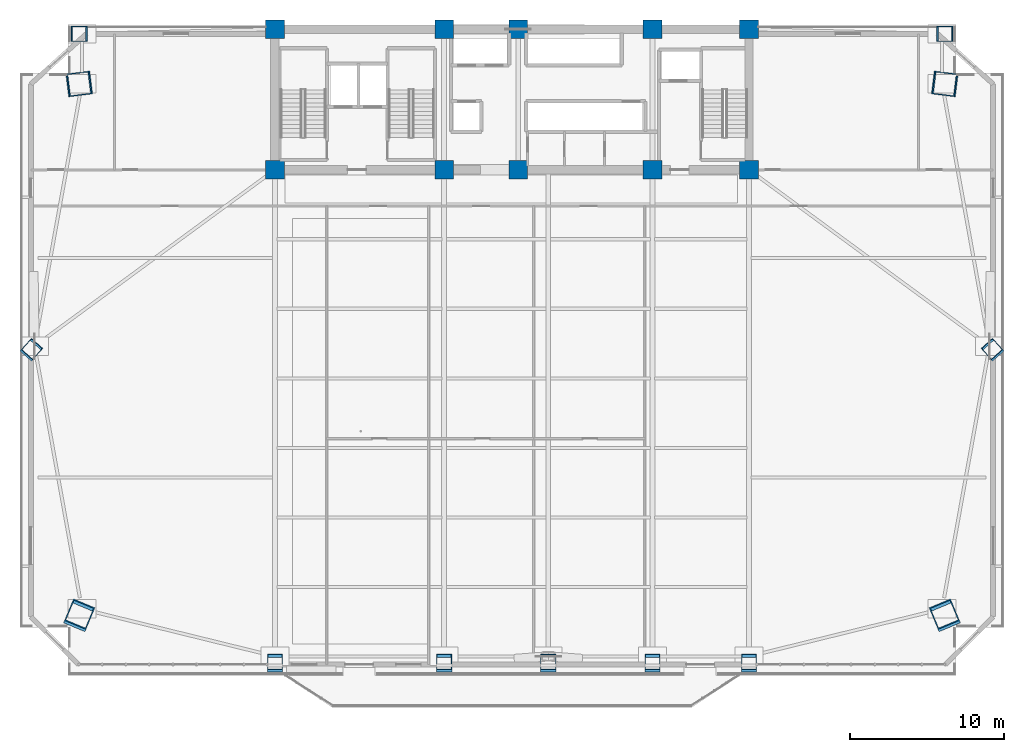
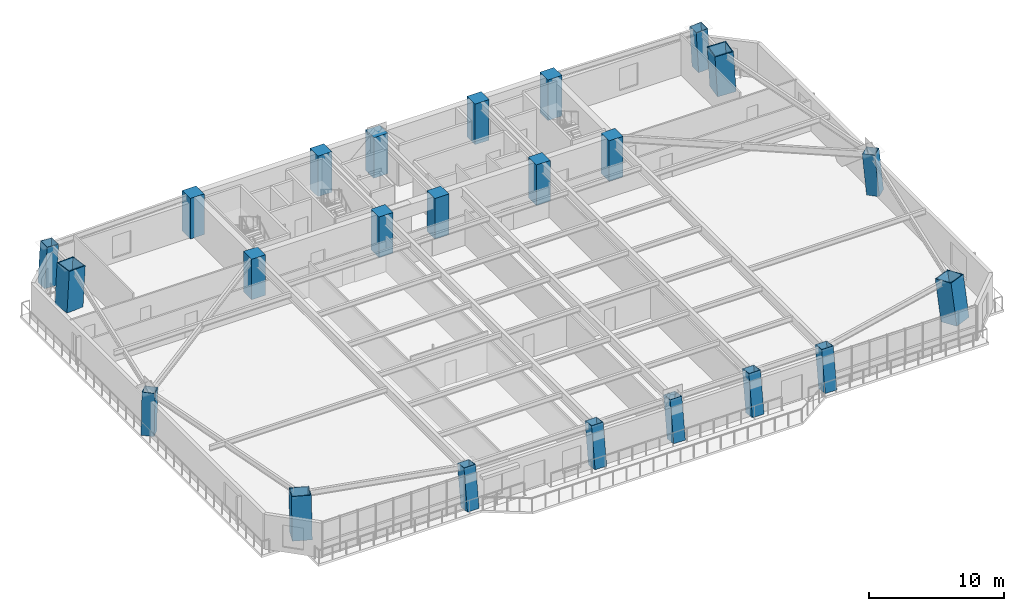
# One storey, part 1 of 16: 23 columns.
"""IFC4 building model written with IfcOpenShell, lengths in metres."""

from ifc_helpers import new_model, si_unit, direction, frame, origin, origin_2d, place, context, subcontext, project, spatial, rectangle, hollow_rectangle, extrude, source, transform, mapped, material, material_profile, profile_set, type_object, element, save


model = new_model("IFC4")

# Units and contexts
model_context = context("Model", 3, precision=1e-05, world=origin(), true_north=direction((0.0, 1.0)))
body_context = subcontext(model_context, "Body", "Model", "MODEL_VIEW")
ifc_project = project(units=[si_unit("LENGTHUNIT", "METRE"), si_unit("AREAUNIT", "SQUARE_METRE"), si_unit("VOLUMEUNIT", "CUBIC_METRE"), si_unit("PLANEANGLEUNIT", "RADIAN"), si_unit("MASSUNIT", "GRAM", prefix="KILO")], contexts=[model_context])

# Site, building, storey
site_placement = place(None, origin())
site = spatial("IfcSite", under=ifc_project, at=site_placement, CompositionType="ELEMENT")
building_placement = place(site_placement, origin())
building = spatial("IfcBuilding", under=site, at=building_placement, Name="Giltprow Tower", CompositionType="ELEMENT")
storey_placement = place(building_placement, frame((0.0, 0.0, 83.5)))
storey = spatial("IfcBuildingStorey", under=building, at=storey_placement, Name="L20", CompositionType="ELEMENT", Elevation=83.5)

# Columns
ifc_material_1 = material(Name="Concrete C60", Category="concrete")
ifc_material_profile_1 = material_profile(ifc_material_1, rectangle(XDim=1.199951171875, YDim=1.199951171875, at=origin_2d()), Name="RC 1200x1200")
ifc_profile_set_1 = profile_set([ifc_material_profile_1], Name="Concrete C60")
column_type_1 = type_object("IfcColumnType", Name="PIL-RC-1200-C60", PredefinedType="PILASTER", material=ifc_profile_set_1)
shared_shape_1 = source(origin(), body_context, "Body", "SweptSolid", [
    extrude(rectangle(XDim=1.199951171875, YDim=1.199951171875, at=origin_2d()), origin(), (0.0, 0.0, 1.0), 3.679931640625),
])
for number, where, z_axis, x_axis, name in (
    (1, (19.85009765625, 37.449951171875, 0.0), (0.0, 0.0, 1.0), (1.0, 0.0, 0.0), "L20 Core Boundary Pilaster 1-1"),
    (2, (19.85009765625, 46.550048828125, 0.0), (0.0, 0.0, 1.0), (1.0, 0.0, 0.0), "L20 Core Boundary Pilaster 1-2"),
    (3, (30.800048828125, 37.449951171875, 0.0), (0.0, 0.0, 1.0), (1.0, 0.0, 0.0), "L20 Core Boundary Pilaster 2-1"),
    (4, (30.800048828125, 46.550048828125, 0.0), (0.0, 0.0, 1.0), (1.0, 0.0, 0.0), "L20 Core Boundary Pilaster 2-2"),
    (5, (35.60009765625, 37.449951171875, 0.0), (0.0, 0.0, 1.0), (1.0, 0.0, 0.0), "L20 Core Boundary Pilaster 3-1"),
    (6, (35.60009765625, 46.550048828125, 0.0), (0.0, 0.0, 1.0), (1.0, 0.0, 0.0), "L20 Core Boundary Pilaster 3-2"),
    (7, (44.300048828125, 37.449951171875, 0.0), (0.0, 0.0, 1.0), (1.0, 0.0, 0.0), "L20 Core Boundary Pilaster 4-1"),
    (8, (44.300048828125, 46.550048828125, 0.0), (0.0, 0.0, 1.0), (1.0, 0.0, 0.0), "L20 Core Boundary Pilaster 4-2"),
    (9, (50.550048828125, 37.449951171875, 0.0), (0.0, 0.0, 1.0), (1.0, 0.0, 0.0), "L20 Core Boundary Pilaster 5-1"),
    (10, (50.550048828125, 46.550048828125, 0.0), (0.0, 0.0, 1.0), (1.0, 0.0, 0.0), "L20 Core Boundary Pilaster 5-2"),
):
    element("IfcColumn", number, at=place(storey_placement, frame(where, z_axis=z_axis, x_axis=x_axis)), inside=storey, type_object=column_type_1, Name=name, PredefinedType="PILASTER", context=body_context, shape_type="MappedRepresentation", body=[
        mapped(shared_shape_1, transform((0.0, 0.0, 0.0), x_axis=(1.0, 0.0, 0.0), y_axis=(0.0, 1.0, 0.0), z_axis=(0.0, 0.0, 1.0), scale=1.0)),
    ])
ifc_material_2 = material(Name="Structural steel Q420GJC", Category="steel")
ifc_material_profile_2 = material_profile(ifc_material_2, hollow_rectangle(XDim=1.5, YDim=1.5, WallThickness=0.070068359375, at=origin_2d()), Name="BOX 1500x1500x70")
ifc_profile_set_2 = profile_set([ifc_material_profile_2], Name="Structural steel Q420GJC")
column_type_2 = type_object("IfcColumnType", Name="COL-BOX-1500x1500x70", PredefinedType="COLUMN", material=ifc_profile_set_2)
shared_shape_2 = source(origin(), body_context, "Body", "SweptSolid", [
    extrude(hollow_rectangle(XDim=1.5, YDim=1.5, WallThickness=0.070068359375, at=origin_2d()), origin(), (0.0, 0.0, 1.0), 3.7197265625),
])
for number, where, z_axis, x_axis, name in (
    (11, (7.135986328125, 8.5048828125, 0.0), (0.056181856516, 0.134744569424, 0.989286358952), (-0.922983788144, 0.38483883227, 0.0), "L20 Mega-Column MC_SW"),
    (12, (63.264892578125, 8.5048828125, 0.0), (-0.056181856516, 0.134744569424, 0.989286358952), (-0.922983788144, -0.38483883227, 0.0), "L20 Mega-Column MC_SE"),
):
    element("IfcColumn", number, at=place(storey_placement, frame(where, z_axis=z_axis, x_axis=x_axis)), inside=storey, type_object=column_type_2, Name=name, PredefinedType="COLUMN", context=body_context, shape_type="MappedRepresentation", body=[
        mapped(shared_shape_2, transform((0.0, 0.0, 0.0), x_axis=(1.0, 0.0, 0.0), y_axis=(0.0, 1.0, 0.0), z_axis=(0.0, 0.0, 1.0), scale=1.0)),
    ])
shared_shape_3 = source(origin(), body_context, "Body", "SweptSolid", [
    extrude(hollow_rectangle(XDim=1.5, YDim=1.5, WallThickness=0.070068359375, at=origin_2d()), origin(), (0.0, 0.0, 1.0), 3.68603515625),
])
for number, where, z_axis, x_axis, name in (
    (13, (7.135986328125, 43.00390625, 0.0), (0.056697506007, 0.007087188251, 0.998366247714), (-0.124034734589, 0.992277876714, 0.0), "L20 Mega-Column MC_NW"),
    (14, (63.264892578125, 43.00390625, 0.0), (-0.056697506007, 0.007087188251, 0.998366247714), (-0.124034734589, -0.992277876714, 0.0), "L20 Mega-Column MC_NE"),
):
    element("IfcColumn", number, at=place(storey_placement, frame(where, z_axis=z_axis, x_axis=x_axis)), inside=storey, type_object=column_type_2, Name=name, PredefinedType="COLUMN", context=body_context, shape_type="MappedRepresentation", body=[
        mapped(shared_shape_3, transform((0.0, 0.0, 0.0), x_axis=(1.0, 0.0, 0.0), y_axis=(0.0, 1.0, 0.0), z_axis=(0.0, 0.0, 1.0), scale=1.0)),
    ])
ifc_material_profile_3 = material_profile(ifc_material_2, hollow_rectangle(XDim=1.0, YDim=1.0, WallThickness=0.044921875, at=origin_2d()), Name="BOX 1000x1000x45")
ifc_profile_set_3 = profile_set([ifc_material_profile_3], Name="Structural steel Q420GJC")
column_type_3 = type_object("IfcColumnType", Name="COL-BOX-1000x1000x45", PredefinedType="COLUMN", material=ifc_profile_set_3)
shared_shape_4 = source(origin(), body_context, "Body", "SweptSolid", [
    extrude(hollow_rectangle(XDim=1.0, YDim=1.0, WallThickness=0.044921875, at=origin_2d()), origin(), (0.0, 0.0, 1.0), 3.717529296875),
])
for number, where, z_axis, x_axis, name in (
    (15, (19.85009765625, 5.408935546875, 0.0), (0.0, 0.14178911816, 0.989896886535), (-1.0, 0.0, 0.0), "L20 Perimeter Column S1"),
    (16, (30.800048828125, 5.408935546875, 0.0), (0.0, 0.14178911816, 0.989896886535), (-1.0, 0.0, 0.0), "L20 Perimeter Column S2"),
    (17, (37.550048828125, 5.408935546875, 0.0), (0.0, 0.14178911816, 0.989896886535), (-1.0, 0.0, 0.0), "L20 Perimeter Column S_MID"),
    (18, (44.300048828125, 5.408935546875, 0.0), (0.0, 0.14178911816, 0.989896886535), (-1.0, 0.0, 0.0), "L20 Perimeter Column S3"),
    (19, (50.550048828125, 5.408935546875, 0.0), (0.0, 0.14178911816, 0.989896886535), (-1.0, 0.0, 0.0), "L20 Perimeter Column S4"),
):
    element("IfcColumn", number, at=place(storey_placement, frame(where, z_axis=z_axis, x_axis=x_axis)), inside=storey, type_object=column_type_3, Name=name, PredefinedType="COLUMN", context=body_context, shape_type="MappedRepresentation", body=[
        mapped(shared_shape_4, transform((0.0, 0.0, 0.0), x_axis=(1.0, 0.0, 0.0), y_axis=(0.0, 1.0, 0.0), z_axis=(0.0, 0.0, 1.0), scale=1.0)),
    ])
shared_shape_5 = source(origin(), body_context, "Body", "SweptSolid", [
    extrude(hollow_rectangle(XDim=1.0, YDim=1.0, WallThickness=0.044921875, at=origin_2d()), origin(), (0.0, 0.0, 1.0), 3.69677734375),
])
for number, where, z_axis, x_axis, name in (
    (20, (4.0400390625, 25.7548828125, 0.0), (0.06353152493, 0.07119229093, 0.995437292376), (-0.74610956251, 0.665823190292, 0.0), "L20 Perimeter Column W_MID"),
    (21, (66.361083984375, 25.7548828125, 0.0), (-0.063597299043, 0.071191992075, 0.995433113684), (-0.745765790273, -0.666208215244, 0.0), "L20 Perimeter Column E_MID"),
):
    element("IfcColumn", number, at=place(storey_placement, frame(where, z_axis=z_axis, x_axis=x_axis)), inside=storey, type_object=column_type_3, Name=name, PredefinedType="COLUMN", context=body_context, shape_type="MappedRepresentation", body=[
        mapped(shared_shape_5, transform((0.0, 0.0, 0.0), x_axis=(1.0, 0.0, 0.0), y_axis=(0.0, 1.0, 0.0), z_axis=(0.0, 0.0, 1.0), scale=1.0)),
    ])
shared_shape_6 = source(origin(), body_context, "Body", "SweptSolid", [
    extrude(hollow_rectangle(XDim=1.0, YDim=1.0, WallThickness=0.044921875, at=origin_2d()), origin(), (0.0, 0.0, 1.0), 3.685791015625),
])
for number, where, z_axis, x_axis, name in (
    (22, (7.135986328125, 46.25, 0.0), (0.056698929969, 0.0, 0.998391321747), (0.0, 1.0, 0.0), "L20 Perimeter Column N_W"),
    (23, (63.264892578125, 46.25, 0.0), (-0.056698929969, 0.0, 0.998391321747), (0.0, -1.0, 0.0), "L20 Perimeter Column N_E"),
):
    element("IfcColumn", number, at=place(storey_placement, frame(where, z_axis=z_axis, x_axis=x_axis)), inside=storey, type_object=column_type_3, Name=name, PredefinedType="COLUMN", context=body_context, shape_type="MappedRepresentation", body=[
        mapped(shared_shape_6, transform((0.0, 0.0, 0.0), x_axis=(1.0, 0.0, 0.0), y_axis=(0.0, 1.0, 0.0), z_axis=(0.0, 0.0, 1.0), scale=1.0)),
    ])

save(model, "model.ifc")
